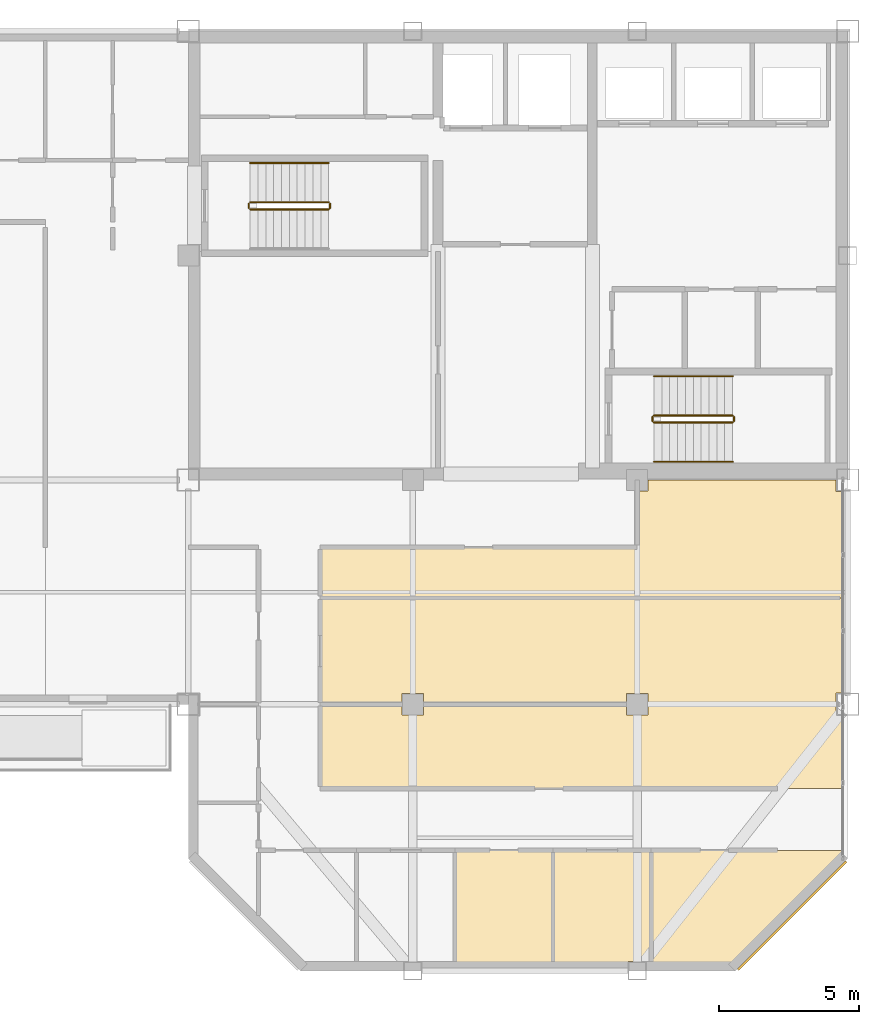
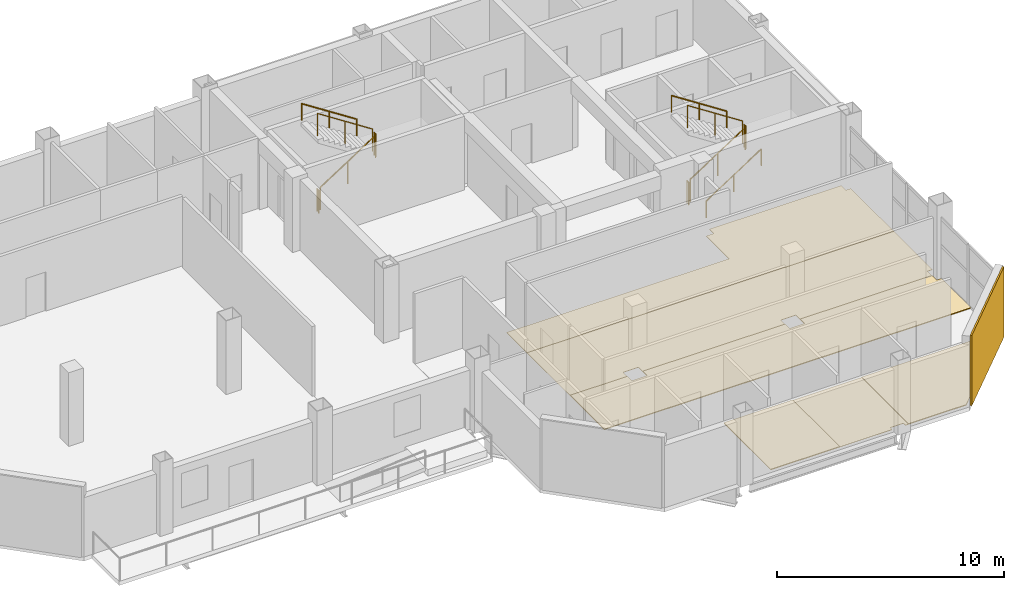
# One storey, part 12 of 13: 11 railings, 7 coverings.
"""IFC4 building model written with IfcOpenShell, lengths in metres."""

from ifc_helpers import new_model, si_unit, direction, frame, origin, origin_2d, place, context, subcontext, project, spatial, polyline, rectangle, circle, outline, extrude, material, layer, layer_set, type_object, element, save


model = new_model("IFC4")

# Units and contexts
model_context = context("Model", 3, precision=1e-05, world=origin(), true_north=direction((0.0, 1.0)))
body_context = subcontext(model_context, "Body", "Model", "MODEL_VIEW")
ifc_project = project(units=[si_unit("LENGTHUNIT", "METRE"), si_unit("AREAUNIT", "SQUARE_METRE"), si_unit("VOLUMEUNIT", "CUBIC_METRE"), si_unit("PLANEANGLEUNIT", "RADIAN"), si_unit("MASSUNIT", "GRAM", prefix="KILO")], contexts=[model_context])

# Site, building, storey
site_placement = place(None, origin())
site = spatial("IfcSite", under=ifc_project, at=site_placement, CompositionType="ELEMENT")
building_placement = place(site_placement, origin())
building = spatial("IfcBuilding", under=site, at=building_placement, Name="Qianrong Seaharbour Tower", CompositionType="ELEMENT")
storey_placement = place(building_placement, frame((0.0, 0.0, 291.199951171875)))
storey = spatial("IfcBuildingStorey", under=building, at=storey_placement, Name="L70", CompositionType="ELEMENT", Elevation=291.199951171875)

# Coverings
ifc_material_1 = material(Name="Unitised red brick cladding on Precast concrete C45/55", Category="masonry")
ifc_layer_1 = layer(ifc_material_1, 0.080078125)
ifc_layer_set_1 = layer_set([ifc_layer_1], Name="Unitised red brick cladding on Precast concrete C45/55")
covering_type_1 = type_object("IfcCoveringType", Name="COV-CLAD-RED-BRICK-80", PredefinedType="CLADDING", material=ifc_layer_set_1)
covering_1_placement = place(storey_placement, frame((62.0283203125, 20.4716796875, 0.0), z_axis=(0.0, 0.0, 1.0), x_axis=(-0.707106781187, -0.707106781187, 0.0)))
element("IfcCovering", 1, at=covering_1_placement, inside=storey, type_object=covering_type_1, Name="L70 Chamfer Corner Brick Cladding 07", PredefinedType="CLADDING", context=body_context, shape_type="SweptSolid", body=[
    extrude(rectangle(XDim=5.456787109375, YDim=0.080078125, at=origin_2d()), origin(), (0.0, 0.0, 1.0), 3.784912109375),
])
ifc_material_2 = material(Name="Acoustic modular carpet tile flooring")
ifc_layer_2 = layer(ifc_material_2, 0.02001953125)
ifc_layer_set_2 = layer_set([ifc_layer_2], Name="Acoustic modular carpet tile flooring")
covering_type_2 = type_object("IfcCoveringType", Name="COV-FLOOR-CARPET-20", PredefinedType="FLOORING", material=ifc_layer_set_2)
covering_2_placement = place(storey_placement, origin())
element("IfcCovering", 2, at=covering_2_placement, inside=storey, type_object=covering_type_2, Name="L70 Boardroom 2 Finish Flooring", PredefinedType="FLOORING", context=body_context, shape_type="SweptSolid", body=[
    extrude(outline(polyline([(63.8349609375, 31.800048828125), (63.8349609375, 28.409912109375), (63.590087890625, 28.409912109375), (63.590087890625, 28.0), (56.885009765625, 28.0), (56.885009765625, 28.385009765625), (56.114990234375, 28.385009765625), (56.114990234375, 28.0), (48.885009765625, 28.0), (48.885009765625, 28.385009765625), (48.114990234375, 28.385009765625), (48.114990234375, 28.0), (45.199951171875, 28.0), (45.199951171875, 31.800048828125), (63.8349609375, 31.800048828125)])), origin(), (0.0, 0.0, 1.0), 0.02001953125),
])
covering_3_placement = place(storey_placement, origin())
element("IfcCovering", 3, at=covering_3_placement, inside=storey, type_object=covering_type_2, Name="L70 Focus Room 3 Finish Flooring", PredefinedType="FLOORING", context=body_context, shape_type="SweptSolid", body=[
    extrude(outline(polyline([(56.5, 33.60009765625), (56.5, 35.614990234375), (56.885009765625, 35.614990234375), (56.885009765625, 36.0), (63.590087890625, 36.0), (63.590087890625, 35.590087890625), (63.8349609375, 35.590087890625), (63.8349609375, 31.800048828125), (45.199951171875, 31.800048828125), (45.199951171875, 33.60009765625), (56.5, 33.60009765625)])), origin(), (0.0, 0.0, 1.0), 0.02001953125),
])
covering_4_placement = place(storey_placement, origin())
element("IfcCovering", 4, at=covering_4_placement, inside=storey, type_object=covering_type_2, Name="L70 Meeting Room 4 Finish Flooring", PredefinedType="FLOORING", context=body_context, shape_type="SweptSolid", body=[
    extrude(outline(polyline([(57.0, 18.6650390625), (56.8349609375, 18.6650390625), (56.8349609375, 18.8349609375), (56.1650390625, 18.8349609375), (56.1650390625, 18.6650390625), (53.5, 18.6650390625), (53.5, 22.800048828125), (57.0, 22.800048828125), (57.0, 18.6650390625)])), origin(), (0.0, 0.0, 1.0), 0.02001953125),
])
ifc_material_3 = material(Name="Calcium-sulphate raised access floor tile")
ifc_layer_3 = layer(ifc_material_3, 0.044921875)
ifc_layer_set_3 = layer_set([ifc_layer_3], Name="Calcium-sulphate raised access floor tile")
covering_type_3 = type_object("IfcCoveringType", Name="COV-FLOOR-RAISED-45", PredefinedType="FLOORING", material=ifc_layer_set_3)
covering_5_placement = place(storey_placement, origin())
element("IfcCovering", 5, at=covering_5_placement, inside=storey, type_object=covering_type_3, Name="L70 Executive Office 1 Finish Flooring", PredefinedType="FLOORING", context=body_context, shape_type="SweptSolid", body=[
    extrude(outline(polyline([(48.114990234375, 28.0), (48.114990234375, 27.614990234375), (48.885009765625, 27.614990234375), (48.885009765625, 28.0), (56.114990234375, 28.0), (56.114990234375, 27.614990234375), (56.885009765625, 27.614990234375), (56.885009765625, 28.0), (63.590087890625, 28.0), (63.590087890625, 27.590087890625), (63.8349609375, 27.590087890625), (63.8349609375, 25.0), (45.199951171875, 25.0), (45.199951171875, 28.0), (48.114990234375, 28.0)])), origin(), (0.0, 0.0, 1.0), 0.045166015625),
])
covering_6_placement = place(storey_placement, origin())
element("IfcCovering", 6, at=covering_6_placement, inside=storey, type_object=covering_type_3, Name="L70 Executive Office 3 Finish Flooring", PredefinedType="FLOORING", context=body_context, shape_type="SweptSolid", body=[
    extrude(outline(polyline([(53.5, 18.6650390625), (50.0, 18.6650390625), (50.0, 22.800048828125), (53.5, 22.800048828125), (53.5, 18.6650390625)])), origin(), (0.0, 0.0, 1.0), 0.045166015625),
])
covering_7_placement = place(storey_placement, origin())
element("IfcCovering", 7, at=covering_7_placement, inside=storey, type_object=covering_type_3, Name="L70 Executive Office 5 Finish Flooring", PredefinedType="FLOORING", context=body_context, shape_type="SweptSolid", body=[
    extrude(outline(polyline([(63.8349609375, 22.568359375), (59.931640625, 18.6650390625), (57.0, 18.6650390625), (57.0, 22.800048828125), (63.8349609375, 22.800048828125), (63.8349609375, 22.568359375)])), origin(), (0.0, 0.0, 1.0), 0.045166015625),
])

# Railings
ifc_material_4 = material(Name="Galvanized painted steel SN400B stair guard", Category="steel")
railing_type_1 = type_object("IfcRailingType", Name="RAIL-STAIR-GUARD-1220", PredefinedType="GUARDRAIL", material=ifc_material_4)
railing_1_placement = place(storey_placement, frame((42.699951171875, 45.64990234375, 0.181884765625)))
element("IfcRailing", 8, at=railing_1_placement, inside=storey, type_object=railing_type_1, Name="L70 ST-1 stair guard 1", PredefinedType="GUARDRAIL", context=body_context, shape_type="SweptSolid", body=[
    extrude(circle(Radius=0.02392578125, at=origin_2d()), frame((0.0, 0.0, 1.19580078125), z_axis=(0.838705829183, 0.0, 0.544584733623), x_axis=(0.0, 1.0, 0.0)), (0.0, 0.0, 1.0), 3.338623046875),
    extrude(circle(Radius=0.02099609375, at=origin_2d()), origin(), (0.0, 0.0, 1.0), 1.171875),
    extrude(circle(Radius=0.02099609375, at=origin_2d()), frame((1.39990234375, 0.0, 0.9091796875)), (0.0, 0.0, 1.0), 1.171875),
    extrude(circle(Radius=0.02099609375, at=origin_2d()), frame((2.800048828125, 0.0, 1.818115234375)), (0.0, 0.0, 1.0), 1.171875),
])
railing_2_placement = place(storey_placement, frame((45.550048828125, 45.699951171875, 2.0)))
element("IfcRailing", 9, at=railing_2_placement, inside=storey, type_object=railing_type_1, Name="L70 ST-1 stair guard 2", PredefinedType="GUARDRAIL", context=body_context, shape_type="SweptSolid", body=[
    extrude(circle(Radius=0.02392578125, at=origin_2d()), frame((0.0, 0.0, 1.19580078125), z_axis=(0.0, 1.0, 0.0), x_axis=(-1.0, 0.0, 0.0)), (0.0, 0.0, 1.0), 0.150146484375),
    extrude(circle(Radius=0.02099609375, at=origin_2d()), origin(), (0.0, 0.0, 1.0), 1.171875),
    extrude(circle(Radius=0.02099609375, at=origin_2d()), frame((0.0, 0.150146484375, 0.0)), (0.0, 0.0, 1.0), 1.171875),
])
railing_3_placement = place(storey_placement, frame((45.5, 45.89990234375, 2.181884765625)))
element("IfcRailing", 10, at=railing_3_placement, inside=storey, type_object=railing_type_1, Name="L70 ST-1 stair guard 3", PredefinedType="GUARDRAIL", context=body_context, shape_type="SweptSolid", body=[
    extrude(circle(Radius=0.02392578125, at=origin_2d()), frame((0.0, 0.0, 1.19580078125), z_axis=(-0.838705829183, 0.0, 0.544584733623), x_axis=(0.0, -1.0, 0.0)), (0.0, 0.0, 1.0), 3.338623046875),
    extrude(circle(Radius=0.02099609375, at=origin_2d()), origin(), (0.0, 0.0, 1.0), 1.171875),
    extrude(circle(Radius=0.02099609375, at=origin_2d()), frame((-1.39990234375, 0.0, 0.9091796875)), (0.0, 0.0, 1.0), 1.171875),
    extrude(circle(Radius=0.02099609375, at=origin_2d()), frame((-2.800048828125, 0.0, 1.818115234375)), (0.0, 0.0, 1.0), 1.171875),
])
railing_4_placement = place(storey_placement, frame((42.64990234375, 45.699951171875, 0.0)))
element("IfcRailing", 11, at=railing_4_placement, inside=storey, type_object=railing_type_1, Name="L70 ST-1 stair guard 4", PredefinedType="GUARDRAIL", context=body_context, shape_type="SweptSolid", body=[
    extrude(circle(Radius=0.02392578125, at=origin_2d()), frame((0.0, 0.0, 1.19580078125), z_axis=(0.0, 1.0, 0.0), x_axis=(-1.0, 0.0, 0.0)), (0.0, 0.0, 1.0), 0.150146484375),
    extrude(circle(Radius=0.02099609375, at=origin_2d()), origin(), (0.0, 0.0, 1.0), 1.171875),
    extrude(circle(Radius=0.02099609375, at=origin_2d()), frame((0.0, 0.150146484375, 0.0)), (0.0, 0.0, 1.0), 1.171875),
])
railing_5_placement = place(storey_placement, frame((57.10009765625, 38.050048828125, 0.181884765625)))
element("IfcRailing", 12, at=railing_5_placement, inside=storey, type_object=railing_type_1, Name="L70 ST-2 stair guard 1", PredefinedType="GUARDRAIL", context=body_context, shape_type="SweptSolid", body=[
    extrude(circle(Radius=0.02392578125, at=origin_2d()), frame((0.0, 0.0, 1.19580078125), z_axis=(0.83868413941, 0.0, 0.544618136222), x_axis=(0.0, 1.0, 0.0)), (0.0, 0.0, 1.0), 3.33837890625),
    extrude(circle(Radius=0.02099609375, at=origin_2d()), origin(), (0.0, 0.0, 1.0), 1.171875),
    extrude(circle(Radius=0.02099609375, at=origin_2d()), frame((1.39990234375, 0.0, 0.9091796875)), (0.0, 0.0, 1.0), 1.171875),
    extrude(circle(Radius=0.02099609375, at=origin_2d()), frame((2.7998046875, 0.0, 1.818115234375)), (0.0, 0.0, 1.0), 1.171875),
])
railing_6_placement = place(storey_placement, frame((59.949951171875, 38.10009765625, 2.0)))
element("IfcRailing", 13, at=railing_6_placement, inside=storey, type_object=railing_type_1, Name="L70 ST-2 stair guard 2", PredefinedType="GUARDRAIL", context=body_context, shape_type="SweptSolid", body=[
    extrude(circle(Radius=0.02392578125, at=origin_2d()), frame((0.0, 0.0, 1.19580078125), z_axis=(0.0, 1.0, 0.0), x_axis=(-1.0, 0.0, 0.0)), (0.0, 0.0, 1.0), 0.14990234375),
    extrude(circle(Radius=0.02099609375, at=origin_2d()), origin(), (0.0, 0.0, 1.0), 1.171875),
    extrude(circle(Radius=0.02099609375, at=origin_2d()), frame((0.0, 0.14990234375, 0.0)), (0.0, 0.0, 1.0), 1.171875),
])
railing_7_placement = place(storey_placement, frame((59.89990234375, 38.300048828125, 2.181884765625)))
element("IfcRailing", 14, at=railing_7_placement, inside=storey, type_object=railing_type_1, Name="L70 ST-2 stair guard 3", PredefinedType="GUARDRAIL", context=body_context, shape_type="SweptSolid", body=[
    extrude(circle(Radius=0.02392578125, at=origin_2d()), frame((0.0, 0.0, 1.19580078125), z_axis=(-0.83868413941, 0.0, 0.544618136222), x_axis=(0.0, -1.0, 0.0)), (0.0, 0.0, 1.0), 3.33837890625),
    extrude(circle(Radius=0.02099609375, at=origin_2d()), origin(), (0.0, 0.0, 1.0), 1.171875),
    extrude(circle(Radius=0.02099609375, at=origin_2d()), frame((-1.39990234375, 0.0, 0.9091796875)), (0.0, 0.0, 1.0), 1.171875),
    extrude(circle(Radius=0.02099609375, at=origin_2d()), frame((-2.7998046875, 0.0, 1.818115234375)), (0.0, 0.0, 1.0), 1.171875),
])
railing_8_placement = place(storey_placement, frame((57.050048828125, 38.10009765625, 0.0)))
element("IfcRailing", 15, at=railing_8_placement, inside=storey, type_object=railing_type_1, Name="L70 ST-2 stair guard 4", PredefinedType="GUARDRAIL", context=body_context, shape_type="SweptSolid", body=[
    extrude(circle(Radius=0.02392578125, at=origin_2d()), frame((0.0, 0.0, 1.19580078125), z_axis=(0.0, 1.0, 0.0), x_axis=(-1.0, 0.0, 0.0)), (0.0, 0.0, 1.0), 0.14990234375),
    extrude(circle(Radius=0.02099609375, at=origin_2d()), origin(), (0.0, 0.0, 1.0), 1.171875),
    extrude(circle(Radius=0.02099609375, at=origin_2d()), frame((0.0, 0.14990234375, 0.0)), (0.0, 0.0, 1.0), 1.171875),
])
ifc_material_5 = material(Name="Stainless steel SUS316L continuous handrail", Category="steel")
railing_type_2 = type_object("IfcRailingType", Name="RAIL-STAIR-HANDRAIL-900", PredefinedType="HANDRAIL", material=ifc_material_5)
railing_9_placement = place(storey_placement, frame((45.5, 47.300048828125, 2.181884765625)))
element("IfcRailing", 16, at=railing_9_placement, inside=storey, type_object=railing_type_2, Name="L70 ST-1 stair handrail 2", PredefinedType="HANDRAIL", context=body_context, shape_type="SweptSolid", body=[
    extrude(circle(Radius=0.02392578125, at=origin_2d()), frame((0.0, 0.0, 0.8759765625), z_axis=(-0.838705829183, 0.0, 0.544584733623), x_axis=(0.0, -1.0, 0.0)), (0.0, 0.0, 1.0), 3.338623046875),
    extrude(circle(Radius=0.02099609375, at=origin_2d()), origin(), (0.0, 0.0, 1.0), 0.851806640625),
    extrude(circle(Radius=0.02099609375, at=origin_2d()), frame((-1.39990234375, 0.0, 0.9091796875)), (0.0, 0.0, 1.0), 0.851806640625),
    extrude(circle(Radius=0.02099609375, at=origin_2d()), frame((-2.800048828125, 0.0, 1.818115234375)), (0.0, 0.0, 1.0), 0.851806640625),
])
railing_10_placement = place(storey_placement, frame((57.10009765625, 36.64990234375, 0.181884765625)))
element("IfcRailing", 17, at=railing_10_placement, inside=storey, type_object=railing_type_2, Name="L70 ST-2 stair handrail 1", PredefinedType="HANDRAIL", context=body_context, shape_type="SweptSolid", body=[
    extrude(circle(Radius=0.02392578125, at=origin_2d()), frame((0.0, 0.0, 0.8759765625), z_axis=(0.83868413941, 0.0, 0.544618136222), x_axis=(0.0, 1.0, 0.0)), (0.0, 0.0, 1.0), 3.33837890625),
    extrude(circle(Radius=0.02099609375, at=origin_2d()), origin(), (0.0, 0.0, 1.0), 0.851806640625),
    extrude(circle(Radius=0.02099609375, at=origin_2d()), frame((1.39990234375, 0.0, 0.9091796875)), (0.0, 0.0, 1.0), 0.851806640625),
    extrude(circle(Radius=0.02099609375, at=origin_2d()), frame((2.7998046875, 0.0, 1.818115234375)), (0.0, 0.0, 1.0), 0.851806640625),
])
railing_11_placement = place(storey_placement, frame((59.89990234375, 39.699951171875, 2.181884765625)))
element("IfcRailing", 18, at=railing_11_placement, inside=storey, type_object=railing_type_2, Name="L70 ST-2 stair handrail 2", PredefinedType="HANDRAIL", context=body_context, shape_type="SweptSolid", body=[
    extrude(circle(Radius=0.02392578125, at=origin_2d()), frame((0.0, 0.0, 0.8759765625), z_axis=(-0.83868413941, 0.0, 0.544618136222), x_axis=(0.0, -1.0, 0.0)), (0.0, 0.0, 1.0), 3.33837890625),
    extrude(circle(Radius=0.02099609375, at=origin_2d()), origin(), (0.0, 0.0, 1.0), 0.851806640625),
    extrude(circle(Radius=0.02099609375, at=origin_2d()), frame((-1.39990234375, 0.0, 0.9091796875)), (0.0, 0.0, 1.0), 0.851806640625),
    extrude(circle(Radius=0.02099609375, at=origin_2d()), frame((-2.7998046875, 0.0, 1.818115234375)), (0.0, 0.0, 1.0), 0.851806640625),
])

save(model, "model.ifc")
